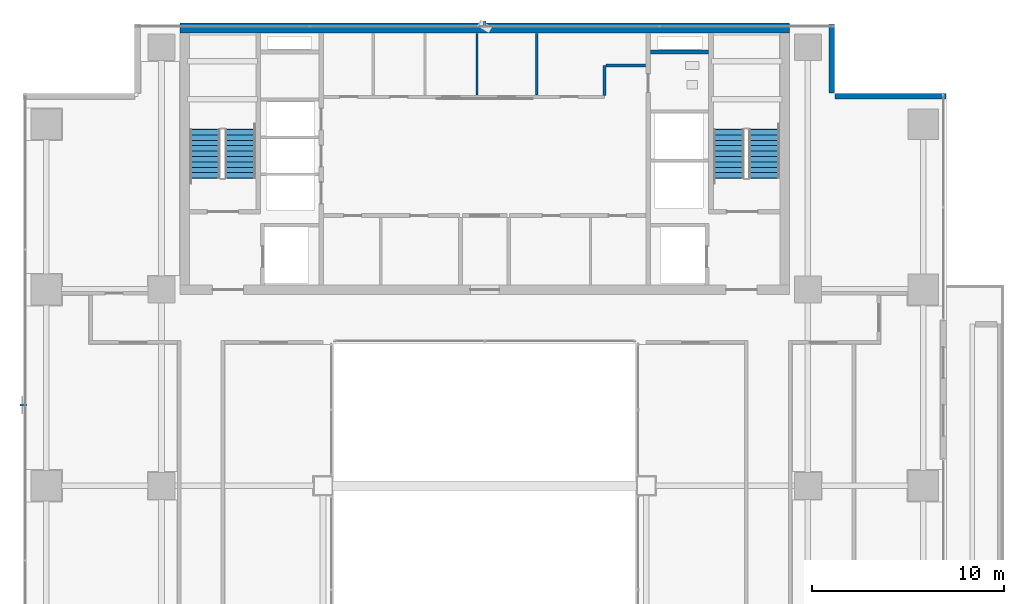
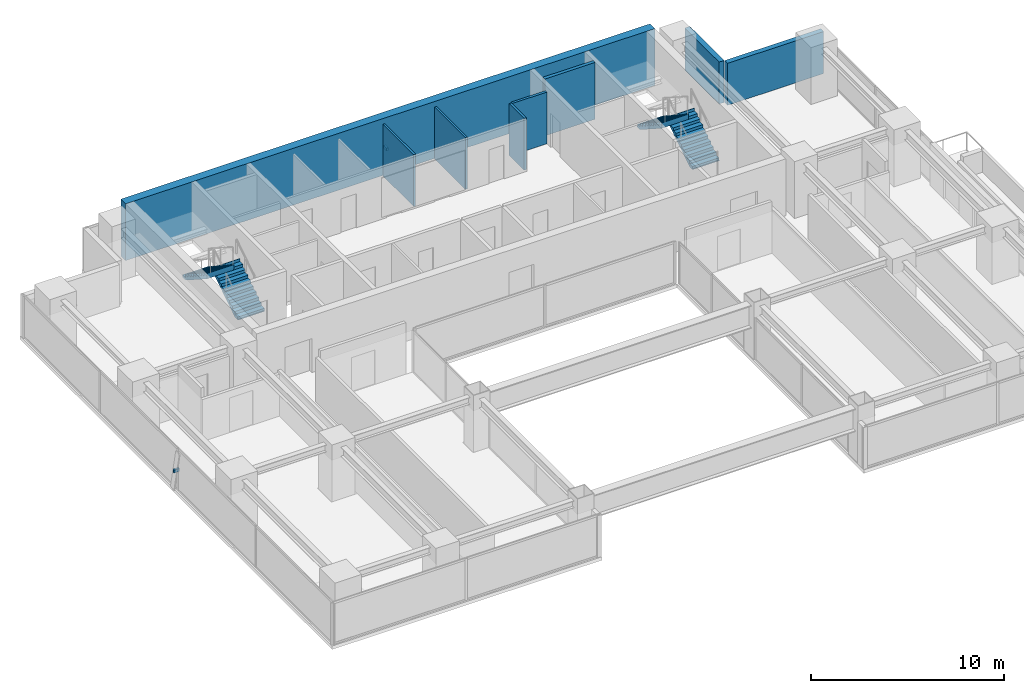
# One storey, part 28 of 32: 8 walls, 4 stair flights, 2 discrete accessories, 2 elements without a shape of their own.
"""IFC4 building model written with IfcOpenShell, lengths in metres."""

from ifc_helpers import new_model, si_unit, direction, frame, frame_2d, origin, origin_2d, place, context, subcontext, project, spatial, polyline, rectangle, outline, extrude, source, transform, mapped, material, layer, layer_set, material_profile, profile_set, type_object, element, aggregate, save


model = new_model("IFC4")

# Units and contexts
model_context = context("Model", 3, precision=1e-05, world=origin(), true_north=direction((0.0, 1.0)))
body_context = subcontext(model_context, "Body", "Model", "MODEL_VIEW")
ifc_project = project(units=[si_unit("LENGTHUNIT", "METRE"), si_unit("AREAUNIT", "SQUARE_METRE"), si_unit("VOLUMEUNIT", "CUBIC_METRE"), si_unit("PLANEANGLEUNIT", "RADIAN"), si_unit("MASSUNIT", "GRAM", prefix="KILO")], contexts=[model_context])

# Site, building, storey
site_placement = place(None, origin())
site = spatial("IfcSite", under=ifc_project, at=site_placement, CompositionType="ELEMENT")
building_placement = place(site_placement, origin())
building = spatial("IfcBuilding", under=site, at=building_placement, Name="Sumidabori Civic Tower", CompositionType="ELEMENT")
storey_placement = place(building_placement, frame((0.0, 0.0, 225.199951171875)))
storey = spatial("IfcBuildingStorey", under=building, at=storey_placement, Name="L58", CompositionType="ELEMENT", Elevation=225.199951171875)

# Walls
ifc_material_1 = material(Name="Concrete C50/60", Category="concrete")
ifc_layer_1 = layer(ifc_material_1, 0.199951171875, Name="Concrete C50/60")
ifc_layer_set_1 = layer_set([ifc_layer_1], Name="Concrete C50/60")
wall_type_1 = type_object("IfcWallType", Name="WL-SHAFT-200", PredefinedType="SHEAR", material=ifc_layer_set_1)
shared_shape_1 = source(origin(), body_context, "Body", "SweptSolid", [
    extrude(rectangle(XDim=3.02001953125, YDim=0.199951171875, at=frame_2d((1.510009765625, 0.0))), origin(), (0.0, 0.0, 1.0), 3.60009765625),
])
wall_1_placement = place(storey_placement, frame((8.625, 22.550048828125, 0.0), z_axis=(0.0, 0.0, 1.0), x_axis=(1.0, 0.0, 0.0)))
element("IfcWall", 1, at=wall_1_placement, inside=storey, type_object=wall_type_1, Name="Core Shear Wall L58 RIS2-S", PredefinedType="SHEAR", context=body_context, shape_type="MappedRepresentation", body=[
    mapped(shared_shape_1, transform((0.0, 0.0, 0.0), x_axis=(1.0, 0.0, 0.0), y_axis=(0.0, 1.0, 0.0), z_axis=(0.0, 0.0, 1.0), scale=1.0)),
])
ifc_layer_2 = layer(ifc_material_1, 0.5, Name="Concrete C50/60")
ifc_layer_set_2 = layer_set([ifc_layer_2], Name="Concrete C50/60")
wall_type_2 = type_object("IfcWallType", Name="WL-CORE-500", PredefinedType="SHEAR", material=ifc_layer_set_2)
shared_shape_2 = source(origin(), body_context, "Body", "SweptSolid", [
    extrude(rectangle(XDim=31.7001953125, YDim=0.5, at=frame_2d((15.85009765625, 0.0))), origin(), (0.0, 0.0, 1.0), 3.60009765625),
])
wall_2_placement = place(storey_placement, frame((-15.85009765625, 23.800048828125, 0.0), z_axis=(0.0, 0.0, 1.0), x_axis=(1.0, 0.0, 0.0)))
element("IfcWall", 2, at=wall_2_placement, inside=storey, type_object=wall_type_2, Name="Core Shear Wall L58 N", PredefinedType="SHEAR", context=body_context, shape_type="MappedRepresentation", body=[
    mapped(shared_shape_2, transform((0.0, 0.0, 0.0), x_axis=(1.0, 0.0, 0.0), y_axis=(0.0, 1.0, 0.0), z_axis=(0.0, 0.0, 1.0), scale=1.0)),
])
ifc_material_2 = material(Name="Precast concrete C40/50", Category="concrete")
ifc_layer_3 = layer(ifc_material_2, 0.300048828125, Name="Precast concrete C40/50")
ifc_layer_set_3 = layer_set([ifc_layer_3], Name="Precast concrete C40/50")
wall_type_3 = type_object("IfcWallType", Name="WL-EXT-POD300", PredefinedType="STANDARD", material=ifc_layer_set_3)
shared_shape_3 = source(origin(), body_context, "Body", "SweptSolid", [
    extrude(rectangle(XDim=5.760009765625, YDim=0.300048828125, at=frame_2d((2.8798828125, 0.0))), origin(), (0.0, 0.0, 1.0), 2.66015625),
])
wall_3_placement = place(storey_placement, frame((23.97998046875, 20.25, 0.0), z_axis=(0.0, 0.0, 1.0), x_axis=(-1.0, 0.0, 0.0)))
element("IfcWall", 3, at=wall_3_placement, inside=storey, type_object=wall_type_3, Name="Notched Corner Spandrel Band L58-12", PredefinedType="STANDARD", context=body_context, shape_type="MappedRepresentation", body=[
    mapped(shared_shape_3, transform((0.0, 0.0, 0.0), x_axis=(1.0, 0.0, 0.0), y_axis=(0.0, 1.0, 0.0), z_axis=(0.0, 0.0, 1.0), scale=1.0)),
])
shared_shape_4 = source(origin(), body_context, "Body", "SweptSolid", [
    extrude(rectangle(XDim=3.56005859375, YDim=0.300048828125, at=frame_2d((1.780029296875, 0.0))), origin(), (0.0, 0.0, 1.0), 2.66015625),
])
wall_4_placement = place(storey_placement, frame((18.050048828125, 20.419921875, 0.0), z_axis=(0.0, 0.0, 1.0), x_axis=(0.0, 1.0, 0.0)))
element("IfcWall", 4, at=wall_4_placement, inside=storey, type_object=wall_type_3, Name="Notched Corner Spandrel Band L58-13", PredefinedType="STANDARD", context=body_context, shape_type="MappedRepresentation", body=[
    mapped(shared_shape_4, transform((0.0, 0.0, 0.0), x_axis=(1.0, 0.0, 0.0), y_axis=(0.0, 1.0, 0.0), z_axis=(0.0, 0.0, 1.0), scale=1.0)),
])
ifc_material_3 = material(Name="Gypsum Plasterboard Acoustic Partition")
ifc_layer_4 = layer(ifc_material_3, 0.14990234375, Name="Gypsum Plasterboard Acoustic Partition")
ifc_layer_set_4 = layer_set([ifc_layer_4], Name="Gypsum Plasterboard Acoustic Partition")
wall_type_4 = type_object("IfcWallType", Name="WL-PART-150", PredefinedType="PARTITIONING", material=ifc_layer_set_4)
shared_shape_5 = source(origin(), body_context, "Body", "SweptSolid", [
    extrude(rectangle(XDim=1.550048828125, YDim=0.14990234375, at=frame_2d((0.77490234375, 0.0))), origin(), (0.0, 0.0, 1.0), 3.280029296875),
])
wall_5_placement = place(storey_placement, frame((6.219970703125, 20.300048828125, 0.0), z_axis=(0.0, 0.0, 1.0), x_axis=(0.0, 1.0, 0.0)))
element("IfcWall", 5, at=wall_5_placement, inside=storey, type_object=wall_type_4, Name="Interior Partition WL:L58:CBAND-ME1", PredefinedType="PARTITIONING", context=body_context, shape_type="MappedRepresentation", body=[
    mapped(shared_shape_5, transform((0.0, 0.0, 0.0), x_axis=(1.0, 0.0, 0.0), y_axis=(0.0, 1.0, 0.0), z_axis=(0.0, 0.0, 1.0), scale=1.0)),
])
shared_shape_6 = source(origin(), body_context, "Body", "SweptSolid", [
    extrude(rectangle(XDim=2.070068359375, YDim=0.14990234375, at=frame_2d((1.03515625, 0.0))), origin(), (0.0, 0.0, 1.0), 3.280029296875),
])
wall_6_placement = place(storey_placement, frame((6.300048828125, 21.85009765625, 0.0), z_axis=(0.0, 0.0, 1.0), x_axis=(1.0, 0.0, 0.0)))
element("IfcWall", 6, at=wall_6_placement, inside=storey, type_object=wall_type_4, Name="Interior Partition WL:L58:CBAND-ME2", PredefinedType="PARTITIONING", context=body_context, shape_type="MappedRepresentation", body=[
    mapped(shared_shape_6, transform((0.0, 0.0, 0.0), x_axis=(1.0, 0.0, 0.0), y_axis=(0.0, 1.0, 0.0), z_axis=(0.0, 0.0, 1.0), scale=1.0)),
])
ifc_layer_5 = layer(ifc_material_3, 0.1201171875, Name="Gypsum Plasterboard Acoustic Partition")
ifc_layer_set_5 = layer_set([ifc_layer_5], Name="Gypsum Plasterboard Acoustic Partition")
wall_type_5 = type_object("IfcWallType", Name="WL-PART-120", PredefinedType="PARTITIONING", material=ifc_layer_set_5)
shared_shape_7 = source(origin(), body_context, "Body", "SweptSolid", [
    extrude(rectangle(XDim=3.18994140625, YDim=0.1201171875, at=frame_2d((1.594970703125, 0.0))), origin(), (0.0, 0.0, 1.0), 3.280029296875),
])
for number, where, z_axis, x_axis, name in (
    (7, (-0.39990234375, 20.320068359375, 0.0), (0.0, 0.0, 1.0), (0.0, 1.0, 0.0), "Interior Partition WL:L58:LV8-S3"),
    (8, (2.699951171875, 20.320068359375, 0.0), (0.0, 0.0, 1.0), (0.0, 1.0, 0.0), "Interior Partition WL:L58:LV8-S4"),
):
    element("IfcWall", number, at=place(storey_placement, frame(where, z_axis=z_axis, x_axis=x_axis)), inside=storey, type_object=wall_type_5, Name=name, PredefinedType="PARTITIONING", context=body_context, shape_type="MappedRepresentation", body=[
        mapped(shared_shape_7, transform((0.0, 0.0, 0.0), x_axis=(1.0, 0.0, 0.0), y_axis=(0.0, 1.0, 0.0), z_axis=(0.0, 0.0, 1.0), scale=1.0)),
    ])

# Stair, stair flights
ifc_material_4 = material(Name="Concrete C40/50", Category="concrete")
stair_type = type_object("IfcStairType", Name="ST-CORE-1600", PredefinedType="HALF_TURN_STAIR", material=ifc_material_4)
stair_1_placement = place(storey_placement, origin())
stair_1 = element("IfcStair", 9, at=stair_1_placement, inside=storey, type_object=stair_type, Name="L58 ST-1", PredefinedType="HALF_TURN_STAIR")
stair_flight_type = type_object("IfcStairFlightType", Name="SF-CORE-1600", PredefinedType="STRAIGHT", material=ifc_material_4)
shared_shape_8 = source(origin(), body_context, "Body", "SweptSolid", [
    extrude(outline(polyline([(-0.02490234375, 0.0), (-0.02490234375, 0.0400390625), (0.0, 0.0400390625), (0.0, 0.179931640625), (0.280029296875, 0.179931640625), (0.280029296875, 0.360107421875), (0.56005859375, 0.360107421875), (0.56005859375, 0.5400390625), (0.840087890625, 0.5400390625), (0.840087890625, 0.719970703125), (1.1201171875, 0.719970703125), (1.1201171875, 0.89990234375), (1.39990234375, 0.89990234375), (1.39990234375, 1.080078125), (1.679931640625, 1.080078125), (1.679931640625, 1.260009765625), (1.9599609375, 1.260009765625), (1.9599609375, 1.43994140625), (2.239990234375, 1.43994140625), (2.239990234375, 1.6201171875), (2.52001953125, 1.6201171875), (2.52001953125, 1.800048828125), (2.544921875, 1.800048828125), (2.544921875, 1.650146484375), (2.52001953125, 1.44189453125), (0.277099609375, 0.0), (-0.02490234375, 0.0)])), frame((0.0, 0.800048828125, 0.0), z_axis=(0.0, -1.0, 0.0), x_axis=(1.0, 0.0, 0.0)), (0.0, 0.0, 1.0), 1.60009765625),
])
stair_flight_1_placement = place(storey_placement, frame((-12.699951171875, 16.0, 0.0), z_axis=(0.0, 0.0, 1.0), x_axis=(0.0, 1.0, 0.0)))
stair_flight_1 = element("IfcStairFlight", 10, at=stair_flight_1_placement, type_object=stair_flight_type, Name="ST-1 flight 1", NumberOfRisers=10, NumberOfTreads=9, PredefinedType="STRAIGHT", RiserHeight=0.18, TreadLength=0.28, context=body_context, shape_type="MappedRepresentation", body=[
    mapped(shared_shape_8, transform((0.0, 0.0, 0.0), x_axis=(1.0, 0.0, 0.0), y_axis=(0.0, 1.0, 0.0), z_axis=(0.0, 0.0, 1.0), scale=1.0)),
])
stair_flight_2_placement = place(storey_placement, frame((-14.5400390625, 18.52001953125, 1.800048828125), z_axis=(0.0, 0.0, 1.0), x_axis=(0.0, -1.0, 0.0)))
stair_flight_2 = element("IfcStairFlight", 11, at=stair_flight_2_placement, type_object=stair_flight_type, Name="ST-1 flight 2", NumberOfRisers=10, NumberOfTreads=9, PredefinedType="STRAIGHT", RiserHeight=0.18, TreadLength=0.28, context=body_context, shape_type="MappedRepresentation", body=[
    mapped(shared_shape_8, transform((0.0, 0.0, 0.0), x_axis=(1.0, 0.0, 0.0), y_axis=(0.0, 1.0, 0.0), z_axis=(0.0, 0.0, 1.0), scale=1.0)),
])
aggregate(stair_1, [stair_flight_1, stair_flight_2])

stair_2_placement = place(storey_placement, origin())
stair_2 = element("IfcStair", 12, at=stair_2_placement, inside=storey, type_object=stair_type, Name="L58 ST-2", PredefinedType="HALF_TURN_STAIR")
stair_flight_3_placement = place(storey_placement, frame((14.5400390625, 16.0, 0.0), z_axis=(0.0, 0.0, 1.0), x_axis=(0.0, 1.0, 0.0)))
stair_flight_3 = element("IfcStairFlight", 13, at=stair_flight_3_placement, type_object=stair_flight_type, Name="ST-2 flight 1", NumberOfRisers=10, NumberOfTreads=9, PredefinedType="STRAIGHT", RiserHeight=0.18, TreadLength=0.28, context=body_context, shape_type="MappedRepresentation", body=[
    mapped(shared_shape_8, transform((0.0, 0.0, 0.0), x_axis=(1.0, 0.0, 0.0), y_axis=(0.0, 1.0, 0.0), z_axis=(0.0, 0.0, 1.0), scale=1.0)),
])
stair_flight_4_placement = place(storey_placement, frame((12.699951171875, 18.52001953125, 1.800048828125), z_axis=(0.0, 0.0, 1.0), x_axis=(0.0, -1.0, 0.0)))
stair_flight_4 = element("IfcStairFlight", 14, at=stair_flight_4_placement, type_object=stair_flight_type, Name="ST-2 flight 2", NumberOfRisers=10, NumberOfTreads=9, PredefinedType="STRAIGHT", RiserHeight=0.18, TreadLength=0.28, context=body_context, shape_type="MappedRepresentation", body=[
    mapped(shared_shape_8, transform((0.0, 0.0, 0.0), x_axis=(1.0, 0.0, 0.0), y_axis=(0.0, 1.0, 0.0), z_axis=(0.0, 0.0, 1.0), scale=1.0)),
])
aggregate(stair_2, [stair_flight_3, stair_flight_4])

# Discrete accessories
ifc_material_5 = material(Name="Stainless Steel Hairline Finish", Category="steel")
ifc_material_profile = material_profile(ifc_material_5, rectangle(XDim=0.1201171875, YDim=0.179931640625, at=origin_2d()), Name="STEEL BRACKET 180x120")
ifc_profile_set = profile_set([ifc_material_profile], Name="Stainless Steel Hairline Finish")
discrete_accessory_type = type_object("IfcDiscreteAccessoryType", Name="AC-BRK-180", PredefinedType="BRACKET", material=ifc_profile_set)
shared_shape_9 = source(origin(), body_context, "Body", "SweptSolid", [
    extrude(rectangle(XDim=0.1201171875, YDim=0.179931640625, at=origin_2d()), origin(), (0.0, 0.0, 1.0), 0.329833984375),
])
for number, where, z_axis, x_axis, name in (
    (15, (0.0, 23.830078125, 1.320068359375), (0.0, 1.0, 0.0), (-1.0, 0.0, 0.0), "Bronze Fin Fixing Bracket L58-02"),
    (16, (-23.830078125, 4.199951171875, 1.320068359375), (-1.0, 0.0, 0.0), (0.0, -1.0, 0.0), "Bronze Fin Fixing Bracket L58-02"),
):
    element("IfcDiscreteAccessory", number, at=place(storey_placement, frame(where, z_axis=z_axis, x_axis=x_axis)), inside=storey, type_object=discrete_accessory_type, Name=name, PredefinedType="BRACKET", context=body_context, shape_type="MappedRepresentation", body=[
        mapped(shared_shape_9, transform((0.0, 0.0, 0.0), x_axis=(1.0, 0.0, 0.0), y_axis=(0.0, 1.0, 0.0), z_axis=(0.0, 0.0, 1.0), scale=1.0)),
    ])

save(model, "model.ifc")
